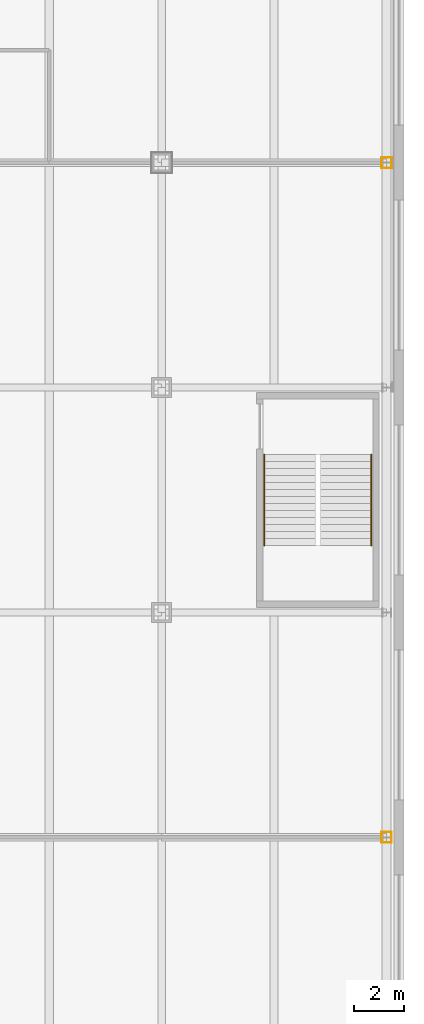
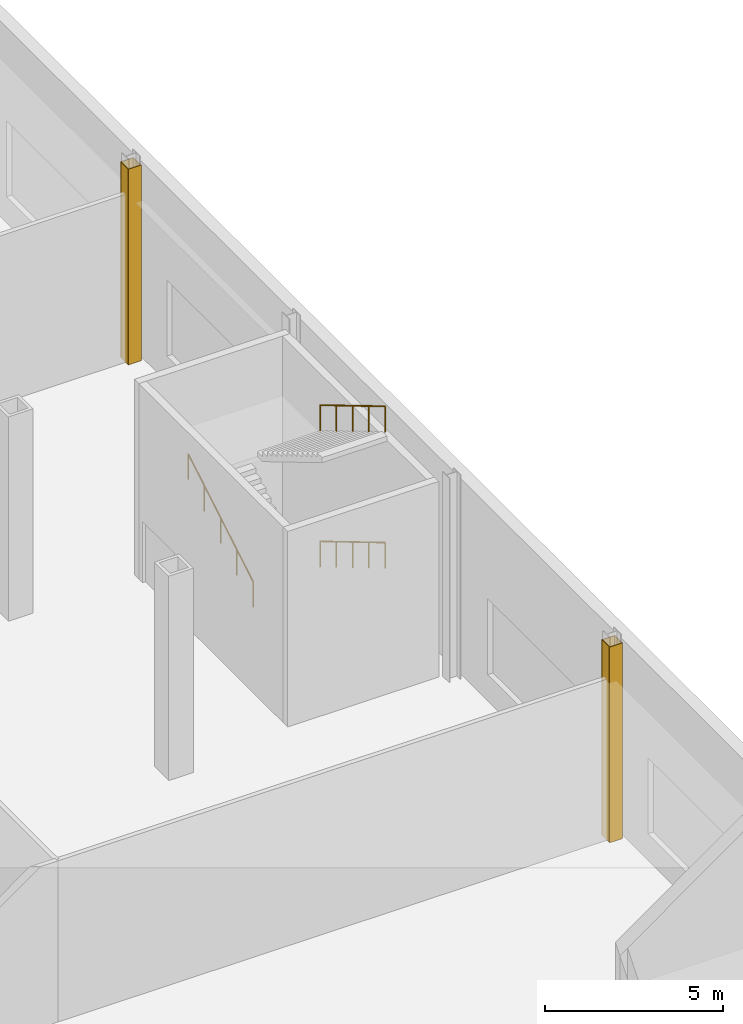
# One storey, part 28 of 32: 8 coverings, 3 railings.
"""IFC4 building model written with IfcOpenShell, lengths in metres."""

from ifc_helpers import new_model, si_unit, direction, frame, origin, origin_2d, place, context, subcontext, project, spatial, rectangle, circle, extrude, material, layer, layer_set, type_object, element, save


model = new_model("IFC4")

# Units and contexts
model_context = context("Model", 3, precision=1e-05, world=origin(), true_north=direction((0.0, 1.0)))
body_context = subcontext(model_context, "Body", "Model", "MODEL_VIEW")
ifc_project = project(units=[si_unit("LENGTHUNIT", "METRE"), si_unit("AREAUNIT", "SQUARE_METRE"), si_unit("VOLUMEUNIT", "CUBIC_METRE"), si_unit("PLANEANGLEUNIT", "RADIAN"), si_unit("MASSUNIT", "GRAM", prefix="KILO")], contexts=[model_context])

# Site, building, storey
site_placement = place(None, origin())
site = spatial("IfcSite", under=ifc_project, at=site_placement, CompositionType="ELEMENT")
building_placement = place(site_placement, origin())
building = spatial("IfcBuilding", under=site, at=building_placement, Name="Loomwork Tower", CompositionType="ELEMENT")
storey_placement = place(building_placement, frame((0.0, 0.0, 16.0)))
storey = spatial("IfcBuildingStorey", under=building, at=storey_placement, Name="L03", CompositionType="ELEMENT", Elevation=16.0)

# Coverings
ifc_material_1 = material(Name="Two-hour fire-rated gypsum board casing")
ifc_layer = layer(ifc_material_1, 0.02490234375)
ifc_layer_set = layer_set([ifc_layer], Name="Column fire casing 25")
covering_type = type_object("IfcCoveringType", Name="Column fire casing 25", PredefinedType="CLADDING", material=ifc_layer_set)
for number, where, z_axis, x_axis, name in (
    (1, (63.0, -8.790771484375, 0.0), (0.0, 0.0, 1.0), (1.0, 0.0, 0.0), "Column casing 63 -9 L03"),
    (2, (63.0, -9.209228515625, 0.0), (0.0, 0.0, 1.0), (1.0, 0.0, 0.0), "Column casing 63 -9 L03"),
):
    element("IfcCovering", number, at=place(storey_placement, frame(where, z_axis=z_axis, x_axis=x_axis)), inside=storey, type_object=covering_type, Name=name, PredefinedType="CLADDING", context=body_context, shape_type="SweptSolid", body=[
        extrude(rectangle(XDim=0.42578125, YDim=0.02490234375, at=origin_2d()), origin(), (0.0, 0.0, 1.0), 6.699951171875),
    ])
for number, where, z_axis, x_axis, name in (
    (3, (63.200439453125, -9.0, 0.0), (0.0, 0.0, 1.0), (1.0, 0.0, 0.0), "Column casing 63 -9 L03"),
    (4, (62.799560546875, -9.0, 0.0), (0.0, 0.0, 1.0), (1.0, 0.0, 0.0), "Column casing 63 -9 L03"),
):
    element("IfcCovering", number, at=place(storey_placement, frame(where, z_axis=z_axis, x_axis=x_axis)), inside=storey, type_object=covering_type, Name=name, PredefinedType="CLADDING", context=body_context, shape_type="SweptSolid", body=[
        extrude(rectangle(XDim=0.02490234375, YDim=0.393798828125, at=origin_2d()), origin(), (0.0, 0.0, 1.0), 6.699951171875),
    ])
for number, where, z_axis, x_axis, name in (
    (5, (63.0, 18.20947265625, 0.0), (0.0, 0.0, 1.0), (1.0, 0.0, 0.0), "Column casing 63 18 L03"),
    (6, (63.0, 17.79052734375, 0.0), (0.0, 0.0, 1.0), (1.0, 0.0, 0.0), "Column casing 63 18 L03"),
):
    element("IfcCovering", number, at=place(storey_placement, frame(where, z_axis=z_axis, x_axis=x_axis)), inside=storey, type_object=covering_type, Name=name, PredefinedType="CLADDING", context=body_context, shape_type="SweptSolid", body=[
        extrude(rectangle(XDim=0.42578125, YDim=0.02490234375, at=origin_2d()), origin(), (0.0, 0.0, 1.0), 6.699951171875),
    ])
for number, where, z_axis, x_axis, name in (
    (7, (63.200439453125, 18.0, 0.0), (0.0, 0.0, 1.0), (1.0, 0.0, 0.0), "Column casing 63 18 L03"),
    (8, (62.799560546875, 18.0, 0.0), (0.0, 0.0, 1.0), (1.0, 0.0, 0.0), "Column casing 63 18 L03"),
):
    element("IfcCovering", number, at=place(storey_placement, frame(where, z_axis=z_axis, x_axis=x_axis)), inside=storey, type_object=covering_type, Name=name, PredefinedType="CLADDING", context=body_context, shape_type="SweptSolid", body=[
        extrude(rectangle(XDim=0.02490234375, YDim=0.393798828125, at=origin_2d()), origin(), (0.0, 0.0, 1.0), 6.699951171875),
    ])

# Railings
ifc_material_2 = material(Name="Stainless steel handrail", Category="steel")
railing_type = type_object("IfcRailingType", Name="Handrail 900", PredefinedType="HANDRAIL", material=ifc_material_2)
railing_1_placement = place(storey_placement, frame((62.389892578125, 6.320068359375, 0.166748046875)))
element("IfcRailing", 9, at=railing_1_placement, inside=storey, type_object=railing_type, Name="Podium stair PS6 handrail flight 1 L03", PredefinedType="HANDRAIL", context=body_context, shape_type="SweptSolid", body=[
    extrude(circle(Radius=0.02392578125, at=origin_2d()), frame((0.0, 0.0, 0.8759765625), z_axis=(0.0, -0.859318214192, 0.511441303336), x_axis=(1.0, 0.0, 0.0)), (0.0, 0.0, 1.0), 4.236083984375),
    extrude(circle(Radius=0.02099609375, at=origin_2d()), origin(), (0.0, 0.0, 1.0), 0.851806640625),
    extrude(circle(Radius=0.02099609375, at=origin_2d()), frame((0.0, -0.91015625, 0.54150390625)), (0.0, 0.0, 1.0), 0.851806640625),
    extrude(circle(Radius=0.02099609375, at=origin_2d()), frame((0.0, -1.820068359375, 1.083251953125)), (0.0, 0.0, 1.0), 0.851806640625),
    extrude(circle(Radius=0.02099609375, at=origin_2d()), frame((0.0, -2.72998046875, 1.625)), (0.0, 0.0, 1.0), 0.851806640625),
    extrude(circle(Radius=0.02099609375, at=origin_2d()), frame((0.0, -3.64013671875, 2.16650390625)), (0.0, 0.0, 1.0), 0.851806640625),
])
railing_2_placement = place(storey_placement, frame((58.110107421875, 2.679931640625, 2.5)))
element("IfcRailing", 10, at=railing_2_placement, inside=storey, type_object=railing_type, Name="Podium stair PS6 handrail flight 2 L03", PredefinedType="HANDRAIL", context=body_context, shape_type="SweptSolid", body=[
    extrude(circle(Radius=0.02392578125, at=origin_2d()), frame((0.0, 0.0, 0.8759765625), z_axis=(0.0, 0.859318214192, 0.511441303336), x_axis=(-1.0, 0.0, 0.0)), (0.0, 0.0, 1.0), 4.236083984375),
    extrude(circle(Radius=0.02099609375, at=origin_2d()), origin(), (0.0, 0.0, 1.0), 0.851806640625),
    extrude(circle(Radius=0.02099609375, at=origin_2d()), frame((0.0, 0.91015625, 0.54150390625)), (0.0, 0.0, 1.0), 0.851806640625),
    extrude(circle(Radius=0.02099609375, at=origin_2d()), frame((0.0, 1.820068359375, 1.083251953125)), (0.0, 0.0, 1.0), 0.851806640625),
    extrude(circle(Radius=0.02099609375, at=origin_2d()), frame((0.0, 2.72998046875, 1.625)), (0.0, 0.0, 1.0), 0.851806640625),
    extrude(circle(Radius=0.02099609375, at=origin_2d()), frame((0.0, 3.64013671875, 2.16650390625)), (0.0, 0.0, 1.0), 0.851806640625),
])
railing_3_placement = place(storey_placement, frame((62.389892578125, 6.320068359375, 4.83349609375)))
element("IfcRailing", 11, at=railing_3_placement, inside=storey, type_object=railing_type, Name="Podium stair PS6 handrail flight 3 L03", PredefinedType="HANDRAIL", context=body_context, shape_type="SweptSolid", body=[
    extrude(circle(Radius=0.02392578125, at=origin_2d()), frame((0.0, 0.0, 0.8759765625), z_axis=(0.0, -0.859318214192, 0.511441303336), x_axis=(1.0, 0.0, 0.0)), (0.0, 0.0, 1.0), 4.236083984375),
    extrude(circle(Radius=0.02099609375, at=origin_2d()), origin(), (0.0, 0.0, 1.0), 0.851806640625),
    extrude(circle(Radius=0.02099609375, at=origin_2d()), frame((0.0, -0.91015625, 0.54150390625)), (0.0, 0.0, 1.0), 0.851806640625),
    extrude(circle(Radius=0.02099609375, at=origin_2d()), frame((0.0, -1.820068359375, 1.083251953125)), (0.0, 0.0, 1.0), 0.851806640625),
    extrude(circle(Radius=0.02099609375, at=origin_2d()), frame((0.0, -2.72998046875, 1.625)), (0.0, 0.0, 1.0), 0.851806640625),
    extrude(circle(Radius=0.02099609375, at=origin_2d()), frame((0.0, -3.64013671875, 2.16650390625)), (0.0, 0.0, 1.0), 0.851806640625),
])

save(model, "model.ifc")
